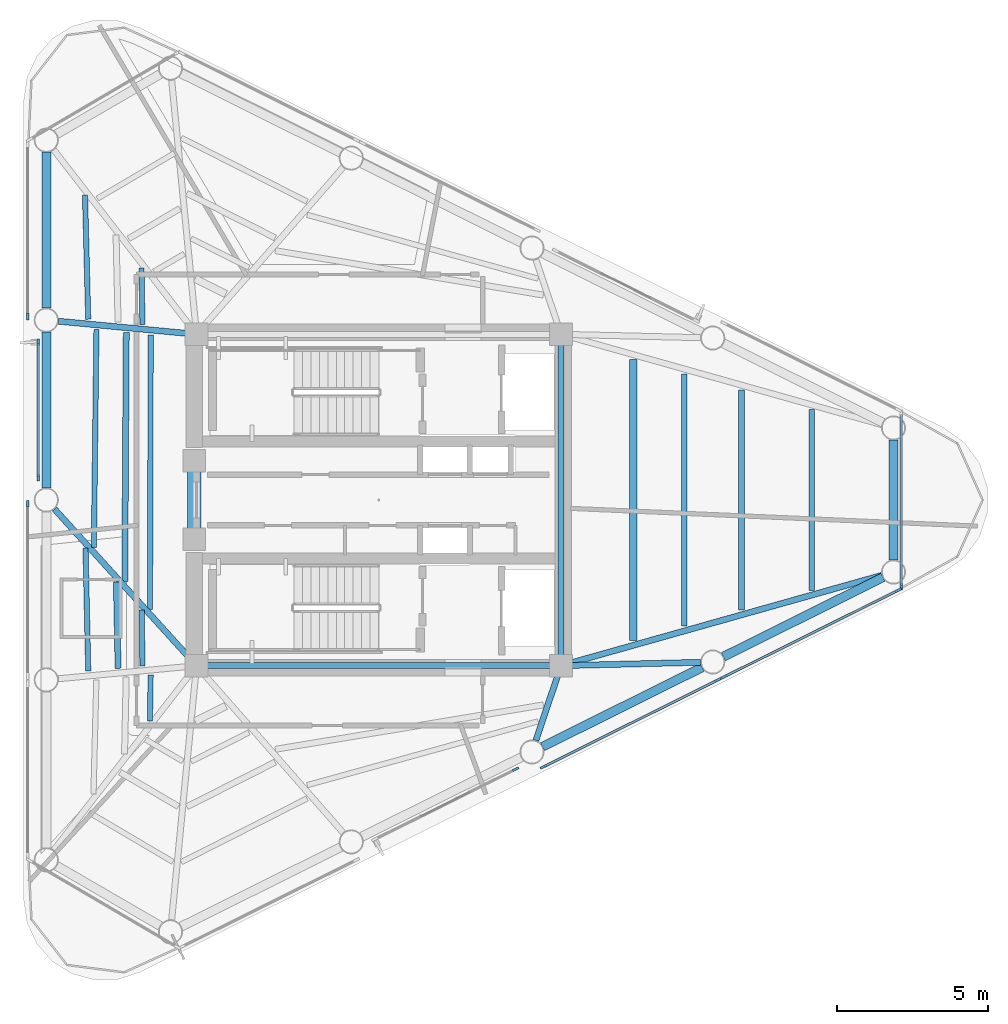
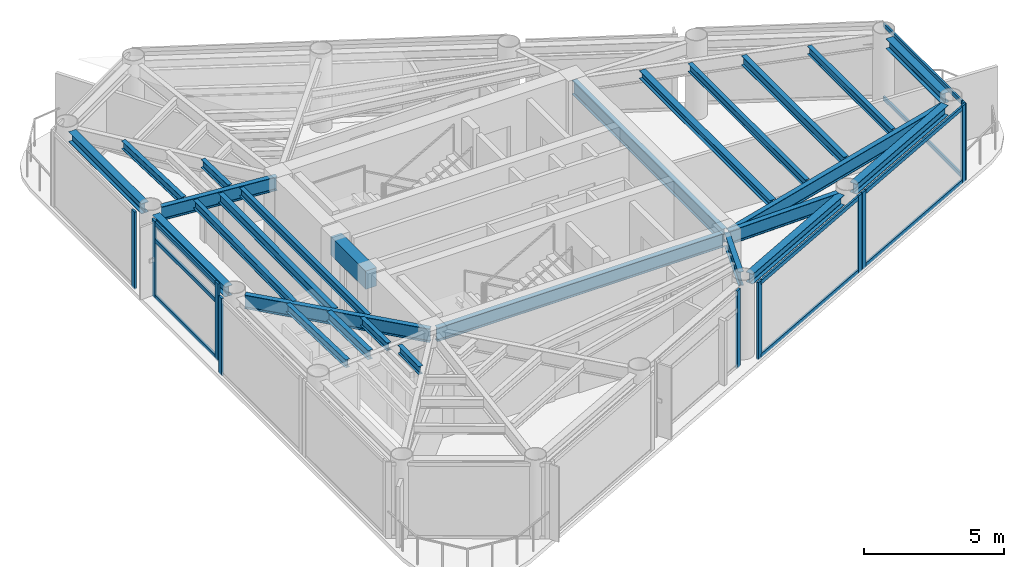
# One storey, part 2 of 10: 26 beams, 19 members, 7 elements without a shape of their own.
"""IFC4 building model written with IfcOpenShell, lengths in metres."""

import ifcopenshell
import ifcopenshell.guid

model = None  # the IFC model being written
_history = None  # IfcOwnerHistory: only IFC2X3 demands one
_inside = {}  # id of a spatial element -> (the spatial element, [elements in it])
_under = {}  # id of a project, library or spatial element -> (it, [spatial elements below it])
_declared = {}  # id of a project -> (the project, [libraries it declares])
_typed = {}  # id of a type object -> (the type object, [elements of that type])
_made_of = {}  # id of a material, layer set ... -> (it, [elements and type objects made of it])


def new_model(schema):
    """Start an empty IFC model of exactly this schema.

    Asked for "IFC4X3", IfcOpenShell would pick the latest addendum, in which some entities
    have other attributes; the version numbers below select the first issue.
    IFC2X3 requires an IfcOwnerHistory on every rooted entity: one is made here for all.
    """
    global model, _history
    if schema == "IFC4X3":
        model = ifcopenshell.file(schema_version=(4, 3, 0, 0))
    else:
        model = ifcopenshell.file(schema=schema)
    _inside.clear()
    _under.clear()
    _declared.clear()
    _typed.clear()
    _made_of.clear()
    _history = None
    if model.schema == "IFC2X3":
        org = make("IfcOrganization", Name="unknown")
        user = make(
            "IfcPersonAndOrganization",
            ThePerson=make("IfcPerson", FamilyName="unknown"),
            TheOrganization=org,
        )
        app = make(
            "IfcApplication",
            ApplicationDeveloper=org,
            Version="unknown",
            ApplicationFullName="unknown",
            ApplicationIdentifier="unknown",
        )
        _history = make(
            "IfcOwnerHistory",
            OwningUser=user,
            OwningApplication=app,
            ChangeAction="ADDED",
            CreationDate=0,
        )
    return model


def make(cls, **values):
    """One entity of the class cls with the attributes given. An attribute that is None is left unset."""
    return model.create_entity(
        cls, **{name: value for name, value in values.items() if value is not None}
    )


def rooted(cls, **values):
    """An entity with a GlobalId (a new one), such as an element, a storey or a relation."""
    return make(cls, GlobalId=ifcopenshell.guid.new(), OwnerHistory=_history, **values)


def si_unit(unit_type, name, prefix=None):
    """IfcSIUnit, for example si_unit("LENGTHUNIT", "METRE", prefix="MILLI")."""
    return make("IfcSIUnit", UnitType=unit_type, Prefix=prefix, Name=name)


def assignment(units):
    """IfcUnitAssignment: the units of a project."""
    return None if units is None else make("IfcUnitAssignment", Units=units)


def point(xyz):
    """IfcCartesianPoint."""
    return None if xyz is None else make("IfcCartesianPoint", Coordinates=xyz)


def direction(xyz):
    """IfcDirection."""
    return None if xyz is None else make("IfcDirection", DirectionRatios=xyz)


def frame(location, z_axis=None, x_axis=None):
    """IfcAxis2Placement3D, a coordinate frame: its origin and axes. An axis left out is left unset."""
    return make(
        "IfcAxis2Placement3D",
        Location=point(location),
        Axis=direction(z_axis),
        RefDirection=direction(x_axis),
    )


def frame_2d(location, x_axis=None):
    """IfcAxis2Placement2D, a coordinate frame in the plane: its origin and x axis."""
    return make(
        "IfcAxis2Placement2D", Location=point(location), RefDirection=direction(x_axis)
    )


def origin():
    """The frame at (0, 0, 0) with its axes left unset."""
    return frame((0.0, 0.0, 0.0))


def origin_2d():
    """The frame at (0, 0) in the plane with its x axis left unset."""
    return frame_2d((0.0, 0.0))


def place(relative_to, where):
    """IfcLocalPlacement: puts the frame where relative to a parent placement (None: the world)."""
    return make(
        "IfcLocalPlacement", PlacementRelTo=relative_to, RelativePlacement=where
    )


def context(
    kind, dimensions, precision=None, world=None, true_north=None, identifier=None
):
    """IfcGeometricRepresentationContext, for example the 3D "Model" context."""
    return make(
        "IfcGeometricRepresentationContext",
        ContextIdentifier=identifier,
        ContextType=kind,
        CoordinateSpaceDimension=dimensions,
        Precision=precision,
        WorldCoordinateSystem=world,
        TrueNorth=true_north,
    )


def subcontext(parent, identifier, kind, view, scale=None):
    """IfcGeometricRepresentationSubContext, for example "Body" below "Model"."""
    return make(
        "IfcGeometricRepresentationSubContext",
        ContextIdentifier=identifier,
        ContextType=kind,
        ParentContext=parent,
        TargetScale=scale,
        TargetView=view,
    )


def project(units=None, contexts=None):
    """IfcProject with its units and contexts."""
    return rooted(
        "IfcProject",
        Name="project",
        RepresentationContexts=contexts,
        UnitsInContext=assignment(units),
    )


def spatial(cls, under=None, at=None, **own):
    """A site, building, storey or space (cls), placed at a placement, below another one or the project."""
    s = rooted(cls, ObjectPlacement=at, **own)
    if under is not None:
        _under.setdefault(under.id(), (under, []))[1].append(s)
    return s


def profile(cls, at=None, kind="AREA", **sizes):
    """A parametric profile (cls). Its sizes go by their IFC names, for example OverallWidth=200.0."""
    return make(cls, ProfileType=kind, Position=at, **sizes)


def rectangle(**sizes):
    """IfcRectangleProfileDef."""
    return profile("IfcRectangleProfileDef", **sizes)


def i_section(**sizes):
    """IfcIShapeProfileDef."""
    return profile("IfcIShapeProfileDef", **sizes)


def extrude(swept, where, along, depth):
    """IfcExtrudedAreaSolid: the profile swept, set in the frame where, extruded along a direction by depth."""
    return make(
        "IfcExtrudedAreaSolid",
        SweptArea=swept,
        Position=where,
        ExtrudedDirection=direction(along),
        Depth=depth,
    )


def shape(context_of_items, identifier, shape_type, items):
    """IfcShapeRepresentation: the items that make up one representation, for example the "Body"."""
    return make(
        "IfcShapeRepresentation",
        ContextOfItems=context_of_items,
        RepresentationIdentifier=identifier,
        RepresentationType=shape_type,
        Items=items,
    )


def source(mapping_origin, context_of_items, identifier, shape_type, items):
    """IfcRepresentationMap: a shape defined once, which mapped items show again and again."""
    return make(
        "IfcRepresentationMap",
        MappingOrigin=mapping_origin,
        MappedRepresentation=shape(context_of_items, identifier, shape_type, items),
    )


def transform(
    local_origin,
    x_axis=None,
    y_axis=None,
    z_axis=None,
    scale=None,
    scale2=None,
    scale3=None,
    uniform=True,
):
    """IfcCartesianTransformationOperator3D, or its non-uniform kind. x_axis, y_axis, z_axis: its Axis1, 2, 3."""
    if uniform:
        return make(
            "IfcCartesianTransformationOperator3D",
            Axis1=direction(x_axis),
            Axis2=direction(y_axis),
            LocalOrigin=point(local_origin),
            Scale=scale,
            Axis3=direction(z_axis),
        )
    return make(
        "IfcCartesianTransformationOperator3DnonUniform",
        Axis1=direction(x_axis),
        Axis2=direction(y_axis),
        LocalOrigin=point(local_origin),
        Scale=scale,
        Axis3=direction(z_axis),
        Scale2=scale2,
        Scale3=scale3,
    )


def mapped(mapping_source, mapping_target):
    """IfcMappedItem: shows the shape of a source again, moved by a transform."""
    return make(
        "IfcMappedItem", MappingSource=mapping_source, MappingTarget=mapping_target
    )


def material(Name=None, Category=None):
    """IfcMaterial."""
    return make("IfcMaterial", Name=Name, Category=Category)


def layer(
    of_material, thickness, ventilated=None, Name=None, Category=None, Priority=None
):
    """IfcMaterialLayer: one layer of a wall or slab, of a material (None: an air gap)."""
    return make(
        "IfcMaterialLayer",
        Material=of_material,
        LayerThickness=thickness,
        IsVentilated=ventilated,
        Name=Name,
        Category=Category,
        Priority=Priority,
    )


def layer_set(layers, Name=None):
    """IfcMaterialLayerSet."""
    return make("IfcMaterialLayerSet", MaterialLayers=layers, LayerSetName=Name)


def material_profile(
    of_material, cross_section, Name=None, Category=None, Priority=None
):
    """IfcMaterialProfile: a cross section and its material."""
    return make(
        "IfcMaterialProfile",
        Name=Name,
        Material=of_material,
        Profile=cross_section,
        Priority=Priority,
        Category=Category,
    )


def profile_set(profiles, Name=None, composite=None):
    """IfcMaterialProfileSet."""
    return make(
        "IfcMaterialProfileSet",
        Name=Name,
        MaterialProfiles=profiles,
        CompositeProfile=composite,
    )


def made_of(thing, what):
    """Note that an element or type object is made of a material, layer set ...; save() writes the relation."""
    if what is not None:
        _made_of.setdefault(what.id(), (what, []))[1].append(thing)
    return thing


def type_object(cls, material=None, **own):
    """A type object (cls), such as IfcWallType, which elements share."""
    return made_of(rooted(cls, **own), material)


def element(
    cls,
    number,
    at=None,
    inside=None,
    cuts=None,
    type_object=None,
    material=None,
    context=None,
    identifier="Body",
    shape_type=None,
    held_by="IfcProductDefinitionShape",
    body=None,
    shapes=None,
    **own,
):
    """One element of the class cls, such as IfcWall. Its Tag is "e" and its number.

    at: its placement. inside: the storey or other place that contains it. cuts: it is an
    opening in that element (IfcRelVoidsElement). A single representation is given by context,
    identifier, shape_type and body (its items); several are given by shapes. held_by: the class
    of the entity that holds the representations. save() writes the other relations.
    """
    e = rooted(cls, Tag="e%d" % number, ObjectPlacement=at, **own)
    if body is not None:
        shapes = [shape(context, identifier, shape_type, body)]
    if shapes is not None:
        e.Representation = make(held_by, Representations=shapes)
    if inside is not None:
        _inside.setdefault(inside.id(), (inside, []))[1].append(e)
    if cuts is not None:
        rooted(
            "IfcRelVoidsElement", RelatingBuildingElement=cuts, RelatedOpeningElement=e
        )
    if type_object is not None:
        _typed.setdefault(type_object.id(), (type_object, []))[1].append(e)
    return made_of(e, material)


def aggregate(whole, parts):
    """IfcRelAggregates: a whole, such as a stair, and the parts it consists of."""
    return rooted("IfcRelAggregates", RelatingObject=whole, RelatedObjects=parts)


def save(model, path):
    """Write the relations noted so far, then the file.

    IfcRelAggregates (storeys below a building ...), IfcRelContainedInSpatialStructure (elements
    in a storey), IfcRelDefinesByType, IfcRelAssociatesMaterial and IfcRelDeclares: one each for
    every whole, place, type object, material and project.
    """
    for whole, parts in _under.values():
        aggregate(whole, parts)
    for where, things in _inside.values():
        rooted(
            "IfcRelContainedInSpatialStructure",
            RelatedElements=things,
            RelatingStructure=where,
        )
    for kind, things in _typed.values():
        rooted("IfcRelDefinesByType", RelatedObjects=things, RelatingType=kind)
    for what, things in _made_of.values():
        rooted("IfcRelAssociatesMaterial", RelatedObjects=things, RelatingMaterial=what)
    for by, libraries in _declared.values():
        rooted("IfcRelDeclares", RelatingContext=by, RelatedDefinitions=libraries)
    model.write(path)


model = new_model("IFC4")

# Units and contexts
model_context = context("Model", 3, precision=1e-05, world=origin(), true_north=direction((0.0, 1.0)))
body_context = subcontext(model_context, "Body", "Model", "MODEL_VIEW")
ifc_project = project(units=[si_unit("LENGTHUNIT", "METRE"), si_unit("AREAUNIT", "SQUARE_METRE"), si_unit("VOLUMEUNIT", "CUBIC_METRE"), si_unit("PLANEANGLEUNIT", "RADIAN"), si_unit("MASSUNIT", "GRAM", prefix="KILO")], contexts=[model_context])

# Site, building, storey
site_placement = place(None, origin())
site = spatial("IfcSite", under=ifc_project, at=site_placement, CompositionType="ELEMENT")
building_placement = place(site_placement, origin())
building = spatial("IfcBuilding", under=site, at=building_placement, Name="Yunling Apex Tower", CompositionType="ELEMENT")
storey_placement = place(building_placement, frame((0.0, 0.0, 310.550048828125)))
storey = spatial("IfcBuildingStorey", under=building, at=storey_placement, Name="L76", CompositionType="ELEMENT", Elevation=310.550048828125)

# Beams
ifc_material_1 = material(Name="Concrete C40", Category="concrete")
ifc_material_profile_1 = material_profile(ifc_material_1, rectangle(XDim=0.449951171875, YDim=0.800048828125, at=origin_2d()))
ifc_profile_set_1 = profile_set([ifc_material_profile_1], Name="Concrete C40")
beam_type_1 = type_object("IfcBeamType", Name="BC-CPL-3", PredefinedType="BEAM", material=ifc_profile_set_1)
shared_shape_1 = source(origin(), body_context, "Body", "SweptSolid", [
    extrude(rectangle(XDim=0.449951171875, YDim=0.800048828125, at=origin_2d()), origin(), (0.0, 0.0, 1.0), 2.5),
])
beam_1_placement = place(storey_placement, frame((-6.125, -1.25, 2.869873046875), z_axis=(0.0, 1.0, 0.0), x_axis=(-1.0, 0.0, 0.0)))
element("IfcBeam", 1, at=beam_1_placement, inside=storey, type_object=beam_type_1, Name="L76 Core West Portal Coupling Beam", PredefinedType="BEAM", context=body_context, shape_type="MappedRepresentation", body=[
    mapped(shared_shape_1, transform((0.0, 0.0, 0.0), scale=1.0)),
])
ifc_material_2 = material(Name="Steel Q355B", Category="steel")
ifc_material_profile_2 = material_profile(ifc_material_2, i_section(OverallWidth=0.199951171875, OverallDepth=0.60009765625, WebThickness=0.010986328125, FlangeThickness=0.01708984375, FilletRadius=0.02197265625, at=origin_2d()))
ifc_profile_set_2 = profile_set([ifc_material_profile_2], Name="Steel Q355B")
beam_type_2 = type_object("IfcBeamType", Name="BG-PRI-5", PredefinedType="USERDEFINED", material=ifc_profile_set_2)
shared_shape_2 = source(origin(), body_context, "Body", "SweptSolid", [
    extrude(i_section(OverallWidth=0.199951171875, OverallDepth=0.60009765625, WebThickness=0.010986328125, FlangeThickness=0.01708984375, FilletRadius=0.02197265625, at=origin_2d()), origin(), (0.0, 0.0, 1.0), 11.7998046875),
])
beam_2_placement = place(storey_placement, frame((-5.89990234375, -5.5, 2.969970703125), z_axis=(1.0, 0.0, 0.0), x_axis=(0.0, 1.0, 0.0)))
element("IfcBeam", 2, at=beam_2_placement, inside=storey, type_object=beam_type_2, Name="L76 Core Ring Tie Beam 1", ObjectType="GIRDER", PredefinedType="USERDEFINED", context=body_context, shape_type="MappedRepresentation", body=[
    mapped(shared_shape_2, transform((0.0, 0.0, 0.0), scale=1.0)),
])
shared_shape_3 = source(origin(), body_context, "Body", "SweptSolid", [
    extrude(i_section(OverallWidth=0.199951171875, OverallDepth=0.60009765625, WebThickness=0.010986328125, FlangeThickness=0.01708984375, FilletRadius=0.02197265625, at=origin_2d()), origin(), (0.0, 0.0, 1.0), 10.7001953125),
])
beam_3_placement = place(storey_placement, frame((6.050048828125, -5.35009765625, 2.969970703125), z_axis=(0.0, 1.0, 0.0), x_axis=(-1.0, 0.0, 0.0)))
element("IfcBeam", 3, at=beam_3_placement, inside=storey, type_object=beam_type_2, Name="L76 Core Ring Tie Beam 2", ObjectType="GIRDER", PredefinedType="USERDEFINED", context=body_context, shape_type="MappedRepresentation", body=[
    mapped(shared_shape_3, transform((0.0, 0.0, 0.0), scale=1.0)),
])
ifc_material_profile_3 = material_profile(ifc_material_2, i_section(OverallWidth=0.300048828125, OverallDepth=0.43994140625, WebThickness=0.010986328125, FlangeThickness=0.01806640625, FilletRadius=0.02197265625, at=origin_2d()))
ifc_profile_set_3 = profile_set([ifc_material_profile_3], Name="Steel Q355B")
beam_type_3 = type_object("IfcBeamType", Name="BP-SPN-3", PredefinedType="SPANDREL", material=ifc_profile_set_3)
shared_shape_4 = source(origin(), body_context, "Body", "SweptSolid", [
    extrude(i_section(OverallWidth=0.300048828125, OverallDepth=0.43994140625, WebThickness=0.010986328125, FlangeThickness=0.01806640625, FilletRadius=0.02197265625, at=origin_2d()), origin(), (0.0, 0.0, 1.0), 5.9140625),
])
for number, where, z_axis, x_axis, name in (
    (4, (5.43896484375, -8.1884765625, 3.050048828125), (0.895259510924, 0.445545068539, 0.0), (-0.445545068539, 0.895259510924, 0.0), "L76 Perimeter Spandrel Beam 3"),
    (5, (11.439208984375, -5.2021484375, 3.050048828125), (0.895259510924, 0.445545068539, 0.0), (-0.445545068539, 0.895259510924, 0.0), "L76 Perimeter Spandrel Beam 4"),
):
    element("IfcBeam", number, at=place(storey_placement, frame(where, z_axis=z_axis, x_axis=x_axis)), inside=storey, type_object=beam_type_3, Name=name, PredefinedType="SPANDREL", context=body_context, shape_type="MappedRepresentation", body=[
        mapped(shared_shape_4, transform((0.0, 0.0, 0.0), scale=1.0)),
    ])
shared_shape_5 = source(origin(), body_context, "Body", "SweptSolid", [
    extrude(i_section(OverallWidth=0.300048828125, OverallDepth=0.43994140625, WebThickness=0.010986328125, FlangeThickness=0.01806640625, FilletRadius=0.02197265625, at=origin_2d()), origin(), (0.0, 0.0, 1.0), 3.9951171875),
])
beam_4_placement = place(storey_placement, frame((17.086669921875, -1.99755859375, 3.050048828125), z_axis=(0.0, 1.0, 0.0), x_axis=(-1.0, 0.0, 0.0)))
element("IfcBeam", 6, at=beam_4_placement, inside=storey, type_object=beam_type_3, Name="L76 Perimeter Spandrel Beam 5", PredefinedType="SPANDREL", context=body_context, shape_type="MappedRepresentation", body=[
    mapped(shared_shape_5, transform((0.0, 0.0, 0.0), scale=1.0)),
])
shared_shape_6 = source(origin(), body_context, "Body", "SweptSolid", [
    extrude(i_section(OverallWidth=0.300048828125, OverallDepth=0.43994140625, WebThickness=0.010986328125, FlangeThickness=0.01806640625, FilletRadius=0.02197265625, at=origin_2d()), origin(), (0.0, 0.0, 1.0), 5.1845703125),
])
for number, where, z_axis, x_axis, name in (
    (7, (-11.037353515625, 11.55126953125, 3.050048828125), (0.0, -1.0, 0.0), (1.0, 0.0, 0.0), "L76 Perimeter Spandrel Beam 11"),
    (8, (-11.037353515625, 5.57861328125, 3.050048828125), (0.0, -1.0, 0.0), (1.0, 0.0, 0.0), "L76 Perimeter Spandrel Beam 12"),
):
    element("IfcBeam", number, at=place(storey_placement, frame(where, z_axis=z_axis, x_axis=x_axis)), inside=storey, type_object=beam_type_3, Name=name, PredefinedType="SPANDREL", context=body_context, shape_type="MappedRepresentation", body=[
        mapped(shared_shape_6, transform((0.0, 0.0, 0.0), scale=1.0)),
    ])
shared_shape_7 = source(origin(), body_context, "Body", "SweptSolid", [
    extrude(i_section(OverallWidth=0.199951171875, OverallDepth=0.60009765625, WebThickness=0.010986328125, FlangeThickness=0.01708984375, FilletRadius=0.02197265625, at=origin_2d()), origin(), (0.0, 0.0, 1.0), 2.533935546875),
])
beam_5_placement = place(storey_placement, frame((5.21630859375, -7.977294921875, 2.969970703125), z_axis=(0.318914628896, 0.947783445454, 0.0), x_axis=(-0.947783445454, 0.318914628896, 0.0)))
element("IfcBeam", 9, at=beam_5_placement, inside=storey, type_object=beam_type_2, Name="L76 Radial Primary Girder R03", ObjectType="GIRDER", PredefinedType="USERDEFINED", context=body_context, shape_type="MappedRepresentation", body=[
    mapped(shared_shape_7, transform((0.0, 0.0, 0.0), scale=1.0)),
])
shared_shape_8 = source(origin(), body_context, "Body", "SweptSolid", [
    extrude(i_section(OverallWidth=0.199951171875, OverallDepth=0.60009765625, WebThickness=0.010986328125, FlangeThickness=0.01708984375, FilletRadius=0.02197265625, at=origin_2d()), origin(), (0.0, 0.0, 1.0), 4.5498046875),
])
beam_6_placement = place(storey_placement, frame((10.678466796875, -5.3876953125, 2.969970703125), z_axis=(-0.999705840498, -0.024253504369, 0.0), x_axis=(0.024253504369, -0.999705840498, 0.0)))
element("IfcBeam", 10, at=beam_6_placement, inside=storey, type_object=beam_type_2, Name="L76 Radial Primary Girder R04", ObjectType="GIRDER", PredefinedType="USERDEFINED", context=body_context, shape_type="MappedRepresentation", body=[
    mapped(shared_shape_8, transform((0.0, 0.0, 0.0), scale=1.0)),
])
shared_shape_9 = source(origin(), body_context, "Body", "SweptSolid", [
    extrude(i_section(OverallWidth=0.199951171875, OverallDepth=0.60009765625, WebThickness=0.010986328125, FlangeThickness=0.01708984375, FilletRadius=0.02197265625, at=origin_2d()), origin(), (0.0, 0.0, 1.0), 10.97802734375),
])
beam_7_placement = place(storey_placement, frame((16.69384765625, -2.502197265625, 2.969970703125), z_axis=(-0.962552702816, -0.271094622414, 0.0), x_axis=(0.271094622414, -0.962552702816, 0.0)))
element("IfcBeam", 11, at=beam_7_placement, inside=storey, type_object=beam_type_2, Name="L76 Radial Primary Girder R05", ObjectType="GIRDER", PredefinedType="USERDEFINED", context=body_context, shape_type="MappedRepresentation", body=[
    mapped(shared_shape_9, transform((0.0, 0.0, 0.0), scale=1.0)),
])
shared_shape_10 = source(origin(), body_context, "Body", "SweptSolid", [
    extrude(i_section(OverallWidth=0.199951171875, OverallDepth=0.60009765625, WebThickness=0.010986328125, FlangeThickness=0.01708984375, FilletRadius=0.02197265625, at=origin_2d()), origin(), (0.0, 0.0, 1.0), 4.521728515625),
])
beam_8_placement = place(storey_placement, frame((-10.631103515625, 5.93408203125, 2.969970703125), z_axis=(0.99554122067, -0.094327503661, 0.0), x_axis=(0.094327503661, 0.99554122067, 0.0)))
element("IfcBeam", 12, at=beam_8_placement, inside=storey, type_object=beam_type_2, Name="L76 Radial Primary Girder R12", ObjectType="GIRDER", PredefinedType="USERDEFINED", context=body_context, shape_type="MappedRepresentation", body=[
    mapped(shared_shape_10, transform((0.0, 0.0, 0.0), scale=1.0)),
])
shared_shape_11 = source(origin(), body_context, "Body", "SweptSolid", [
    extrude(i_section(OverallWidth=0.199951171875, OverallDepth=0.60009765625, WebThickness=0.010986328125, FlangeThickness=0.01708984375, FilletRadius=0.02197265625, at=origin_2d()), origin(), (0.0, 0.0, 1.0), 6.9365234375),
])
beam_9_placement = place(storey_placement, frame((-10.76318359375, -0.30224609375, 2.969970703125), z_axis=(0.671734994532, -0.740791534185, 0.0), x_axis=(0.740791534185, 0.671734994532, 0.0)))
element("IfcBeam", 13, at=beam_9_placement, inside=storey, type_object=beam_type_2, Name="L76 Radial Primary Girder R13", ObjectType="GIRDER", PredefinedType="USERDEFINED", context=body_context, shape_type="MappedRepresentation", body=[
    mapped(shared_shape_11, transform((0.0, 0.0, 0.0), scale=1.0)),
])
ifc_material_profile_4 = material_profile(ifc_material_2, i_section(OverallWidth=0.199951171875, OverallDepth=0.39990234375, WebThickness=0.008056640625, FlangeThickness=0.012939453125, FilletRadius=0.01611328125, at=origin_2d()))
ifc_profile_set_4 = profile_set([ifc_material_profile_4], Name="Steel Q355B")
beam_type_4 = type_object("IfcBeamType", Name="BS-SEC-4", PredefinedType="BEAM", material=ifc_profile_set_4)
shared_shape_12 = source(origin(), body_context, "Body", "SweptSolid", [
    extrude(i_section(OverallWidth=0.199951171875, OverallDepth=0.39990234375, WebThickness=0.008056640625, FlangeThickness=0.012939453125, FilletRadius=0.01611328125, at=origin_2d()), origin(), (0.0, 0.0, 1.0), 7.30322265625),
])
beam_10_placement = place(storey_placement, frame((12.04443359375, -3.651611328125, 3.070068359375), z_axis=(0.0, 1.0, 0.0), x_axis=(-1.0, 0.0, 0.0)))
element("IfcBeam", 14, at=beam_10_placement, inside=storey, type_object=beam_type_4, Name="L76 Composite Floor Beam BS-5", PredefinedType="BEAM", context=body_context, shape_type="MappedRepresentation", body=[
    mapped(shared_shape_12, transform((0.0, 0.0, 0.0), scale=1.0)),
])
ifc_material_profile_5 = material_profile(ifc_material_2, i_section(OverallWidth=0.175048828125, OverallDepth=0.35009765625, WebThickness=0.007080078125, FlangeThickness=0.010986328125, FilletRadius=0.013916015625, at=origin_2d()))
ifc_profile_set_5 = profile_set([ifc_material_profile_5], Name="Steel Q355B")
beam_type_5 = type_object("IfcBeamType", Name="BJ-JST-1", PredefinedType="JOIST", material=ifc_profile_set_5)
shared_shape_13 = source(origin(), body_context, "Body", "SweptSolid", [
    extrude(i_section(OverallWidth=0.175048828125, OverallDepth=0.35009765625, WebThickness=0.007080078125, FlangeThickness=0.010986328125, FilletRadius=0.013916015625, at=origin_2d()), origin(), (0.0, 0.0, 1.0), 5.99365234375),
])
beam_11_placement = place(storey_placement, frame((14.369140625, -2.996826171875, 3.094970703125), z_axis=(0.0, 1.0, 0.0), x_axis=(-1.0, 0.0, 0.0)))
element("IfcBeam", 15, at=beam_11_placement, inside=storey, type_object=beam_type_5, Name="L76 Composite Floor Joist BJ1-5", PredefinedType="JOIST", context=body_context, shape_type="MappedRepresentation", body=[
    mapped(shared_shape_13, transform((0.0, 0.0, 0.0), scale=1.0)),
])
shared_shape_14 = source(origin(), body_context, "Body", "SweptSolid", [
    extrude(i_section(OverallWidth=0.175048828125, OverallDepth=0.35009765625, WebThickness=0.007080078125, FlangeThickness=0.010986328125, FilletRadius=0.013916015625, at=origin_2d()), origin(), (0.0, 0.0, 1.0), 8.37451171875),
])
beam_12_placement = place(storey_placement, frame((10.142333984375, -4.187255859375, 3.094970703125), z_axis=(0.0, 1.0, 0.0), x_axis=(-1.0, 0.0, 0.0)))
element("IfcBeam", 16, at=beam_12_placement, inside=storey, type_object=beam_type_5, Name="L76 Composite Floor Joist BJ3-5", PredefinedType="JOIST", context=body_context, shape_type="MappedRepresentation", body=[
    mapped(shared_shape_14, transform((0.0, 0.0, 0.0), scale=1.0)),
])
ifc_material_profile_6 = material_profile(ifc_material_2, i_section(OverallWidth=0.25, OverallDepth=0.340087890625, WebThickness=0.009033203125, FlangeThickness=0.013916015625, FilletRadius=0.01806640625, at=origin_2d()))
ifc_profile_set_6 = profile_set([ifc_material_profile_6], Name="Steel Q355B")
beam_type_6 = type_object("IfcBeamType", Name="BJ-JST-2", PredefinedType="JOIST", material=ifc_profile_set_6)
shared_shape_15 = source(origin(), body_context, "Body", "SweptSolid", [
    extrude(i_section(OverallWidth=0.25, OverallDepth=0.340087890625, WebThickness=0.009033203125, FlangeThickness=0.013916015625, FilletRadius=0.01806640625, at=origin_2d()), origin(), (0.0, 0.0, 1.0), 9.3271484375),
])
beam_13_placement = place(storey_placement, frame((8.45166015625, -4.66357421875, 3.099853515625), z_axis=(0.0, 1.0, 0.0), x_axis=(-1.0, 0.0, 0.0)))
element("IfcBeam", 17, at=beam_13_placement, inside=storey, type_object=beam_type_6, Name="L76 Composite Floor Joist BJ2-5", PredefinedType="JOIST", context=body_context, shape_type="MappedRepresentation", body=[
    mapped(shared_shape_15, transform((0.0, 0.0, 0.0), scale=1.0)),
])
shared_shape_16 = source(origin(), body_context, "Body", "SweptSolid", [
    extrude(i_section(OverallWidth=0.175048828125, OverallDepth=0.35009765625, WebThickness=0.007080078125, FlangeThickness=0.010986328125, FilletRadius=0.013916015625, at=origin_2d()), origin(), (0.0, 0.0, 1.0), 4.130859375),
])
beam_14_placement = place(storey_placement, frame((-9.751953125, 10.129638671875, 3.094970703125), z_axis=(0.025887029391, -0.9996648747, 0.0), x_axis=(0.9996648747, 0.025887029391, 0.0)))
element("IfcBeam", 18, at=beam_14_placement, inside=storey, type_object=beam_type_5, Name="L76 Composite Floor Joist BJ1-11", PredefinedType="JOIST", context=body_context, shape_type="MappedRepresentation", body=[
    mapped(shared_shape_16, transform((0.0, 0.0, 0.0), scale=1.0)),
])
shared_shape_17 = source(origin(), body_context, "Body", "SweptSolid", [
    extrude(i_section(OverallWidth=0.175048828125, OverallDepth=0.35009765625, WebThickness=0.007080078125, FlangeThickness=0.010986328125, FilletRadius=0.013916015625, at=origin_2d()), origin(), (0.0, 0.0, 1.0), 1.87646484375),
])
beam_15_placement = place(storey_placement, frame((-7.877685546875, 7.705810546875, 3.094970703125), z_axis=(0.01847440018, -0.999829333705, 0.0), x_axis=(0.999829333705, 0.01847440018, 0.0)))
element("IfcBeam", 19, at=beam_15_placement, inside=storey, type_object=beam_type_5, Name="L76 Composite Floor Joist BJ3-11", PredefinedType="JOIST", context=body_context, shape_type="MappedRepresentation", body=[
    mapped(shared_shape_17, transform((0.0, 0.0, 0.0), scale=1.0)),
])
shared_shape_18 = source(origin(), body_context, "Body", "SweptSolid", [
    extrude(i_section(OverallWidth=0.199951171875, OverallDepth=0.39990234375, WebThickness=0.008056640625, FlangeThickness=0.012939453125, FilletRadius=0.01611328125, at=origin_2d()), origin(), (0.0, 0.0, 1.0), 8.2724609375),
])
beam_16_placement = place(storey_placement, frame((-8.38134765625, 5.560791015625, 3.070068359375), z_axis=(-0.006197679272, -0.999980794201, 0.0), x_axis=(0.999980794201, -0.006197679272, 0.0)))
element("IfcBeam", 20, at=beam_16_placement, inside=storey, type_object=beam_type_4, Name="L76 Composite Floor Beam BS-12", PredefinedType="BEAM", context=body_context, shape_type="MappedRepresentation", body=[
    mapped(shared_shape_18, transform((0.0, 0.0, 0.0), scale=1.0)),
])
shared_shape_19 = source(origin(), body_context, "Body", "SweptSolid", [
    extrude(i_section(OverallWidth=0.175048828125, OverallDepth=0.35009765625, WebThickness=0.007080078125, FlangeThickness=0.010986328125, FilletRadius=0.013916015625, at=origin_2d()), origin(), (0.0, 0.0, 1.0), 7.236328125),
])
beam_17_placement = place(storey_placement, frame((-9.37255859375, 5.65478515625, 3.094970703125), z_axis=(-0.011639673006, -0.999932256712, 0.0), x_axis=(0.999932256712, -0.011639673006, 0.0)))
element("IfcBeam", 21, at=beam_17_placement, inside=storey, type_object=beam_type_5, Name="L76 Composite Floor Joist BJ1-12", PredefinedType="JOIST", context=body_context, shape_type="MappedRepresentation", body=[
    mapped(shared_shape_19, transform((0.0, 0.0, 0.0), scale=1.0)),
])
shared_shape_20 = source(origin(), body_context, "Body", "SweptSolid", [
    extrude(i_section(OverallWidth=0.175048828125, OverallDepth=0.35009765625, WebThickness=0.007080078125, FlangeThickness=0.010986328125, FilletRadius=0.013916015625, at=origin_2d()), origin(), (0.0, 0.0, 1.0), 9.120361328125),
])
beam_18_placement = place(storey_placement, frame((-7.570556640625, 5.48388671875, 3.094970703125), z_axis=(-0.002596559494, -0.999996628934, 0.0), x_axis=(0.999996628934, -0.002596559494, 0.0)))
element("IfcBeam", 22, at=beam_18_placement, inside=storey, type_object=beam_type_5, Name="L76 Composite Floor Joist BJ3-12", PredefinedType="JOIST", context=body_context, shape_type="MappedRepresentation", body=[
    mapped(shared_shape_20, transform((0.0, 0.0, 0.0), scale=1.0)),
])
shared_shape_21 = source(origin(), body_context, "Body", "SweptSolid", [
    extrude(i_section(OverallWidth=0.199951171875, OverallDepth=0.39990234375, WebThickness=0.008056640625, FlangeThickness=0.012939453125, FilletRadius=0.01611328125, at=origin_2d()), origin(), (0.0, 0.0, 1.0), 2.86376953125),
])
beam_19_placement = place(storey_placement, frame((-8.7099609375, -2.72314453125, 3.070068359375), z_axis=(0.019692633422, -0.999806081292, 0.0), x_axis=(0.999806081292, 0.019692633422, 0.0)))
element("IfcBeam", 23, at=beam_19_placement, inside=storey, type_object=beam_type_4, Name="L76 Composite Floor Beam BS-13", PredefinedType="BEAM", context=body_context, shape_type="MappedRepresentation", body=[
    mapped(shared_shape_21, transform((0.0, 0.0, 0.0), scale=1.0)),
])
shared_shape_22 = source(origin(), body_context, "Body", "SweptSolid", [
    extrude(i_section(OverallWidth=0.175048828125, OverallDepth=0.35009765625, WebThickness=0.007080078125, FlangeThickness=0.010986328125, FilletRadius=0.013916015625, at=origin_2d()), origin(), (0.0, 0.0, 1.0), 4.0888671875),
])
beam_20_placement = place(storey_placement, frame((-9.734619140625, -1.592529296875, 3.094970703125), z_axis=(0.022092074649, -0.999755940336, 0.0), x_axis=(0.999755940336, 0.022092074649, 0.0)))
element("IfcBeam", 24, at=beam_20_placement, inside=storey, type_object=beam_type_5, Name="L76 Composite Floor Joist BJ1-13", PredefinedType="JOIST", context=body_context, shape_type="MappedRepresentation", body=[
    mapped(shared_shape_22, transform((0.0, 0.0, 0.0), scale=1.0)),
])
shared_shape_23 = source(origin(), body_context, "Body", "SweptSolid", [
    extrude(i_section(OverallWidth=0.175048828125, OverallDepth=0.35009765625, WebThickness=0.007080078125, FlangeThickness=0.010986328125, FilletRadius=0.013916015625, at=origin_2d()), origin(), (0.0, 0.0, 1.0), 1.861572265625),
])
beam_21_placement = place(storey_placement, frame((-7.871826171875, -3.648193359375, 3.094970703125), z_axis=(0.015606703404, -0.999878207988, 0.0), x_axis=(0.999878207988, 0.015606703404, 0.0)))
element("IfcBeam", 25, at=beam_21_placement, inside=storey, type_object=beam_type_5, Name="L76 Composite Floor Joist BJ3-13", PredefinedType="JOIST", context=body_context, shape_type="MappedRepresentation", body=[
    mapped(shared_shape_23, transform((0.0, 0.0, 0.0), scale=1.0)),
])
shared_shape_24 = source(origin(), body_context, "Body", "SweptSolid", [
    extrude(i_section(OverallWidth=0.175048828125, OverallDepth=0.35009765625, WebThickness=0.007080078125, FlangeThickness=0.010986328125, FilletRadius=0.013916015625, at=origin_2d()), origin(), (0.0, 0.0, 1.0), 1.53857421875),
])
beam_22_placement = place(storey_placement, frame((-7.572509765625, -5.803955078125, 3.094970703125), z_axis=(-0.015709852828, -0.999876592647, 0.0), x_axis=(0.999876592647, -0.015709852828, 0.0)))
element("IfcBeam", 26, at=beam_22_placement, inside=storey, type_object=beam_type_5, Name="L76 Composite Floor Joist BJ3-14", PredefinedType="JOIST", context=body_context, shape_type="MappedRepresentation", body=[
    mapped(shared_shape_24, transform((0.0, 0.0, 0.0), scale=1.0)),
])

# Curtain wall, members
ifc_material_3 = material(Name="Bronze anodised aluminium", Category="aluminium")
ifc_layer = layer(ifc_material_3, 0.219970703125)
ifc_layer_set = layer_set([ifc_layer], Name="Bronze anodised aluminium")
curtain_wall_type = type_object("IfcCurtainWallType", Name="CW-SYS-4", PredefinedType="NOTDEFINED", material=ifc_layer_set)
curtain_wall_1_placement = place(storey_placement, origin())
curtain_wall_1 = element("IfcCurtainWall", 27, at=curtain_wall_1_placement, inside=storey, type_object=curtain_wall_type, Name="CW-L76-F1-B3", PredefinedType="NOTDEFINED")
ifc_material_profile_7 = material_profile(ifc_material_3, rectangle(XDim=0.080078125, YDim=0.169921875, at=origin_2d()))
ifc_profile_set_7 = profile_set([ifc_material_profile_7], Name="Bronze anodised aluminium")
member_type_1 = type_object("IfcMemberType", Name="CW-TRN-4", PredefinedType="USERDEFINED", material=ifc_profile_set_7)
shared_shape_25 = source(origin(), body_context, "Body", "SweptSolid", [
    extrude(rectangle(XDim=0.080078125, YDim=0.169921875, at=origin_2d()), origin(), (0.0, 0.0, 1.0), 6.39013671875),
])
member_1_placement = place(storey_placement, frame((5.497802734375, -8.8408203125, 0.0400390625), z_axis=(0.895235684646, 0.445592940851, 0.0), x_axis=(-0.445592940851, 0.895235684646, 0.0)))
member_1 = element("IfcMember", 28, at=member_1_placement, type_object=member_type_1, Name="CW-SYS-4 transom 1.1", ObjectType="TRANSOM", PredefinedType="USERDEFINED", context=body_context, shape_type="MappedRepresentation", body=[
    mapped(shared_shape_25, transform((0.0, 0.0, 0.0), scale=1.0)),
])
member_2_placement = place(storey_placement, frame((5.497802734375, -8.8408203125, 3.22998046875), z_axis=(0.895235684646, 0.445592940851, 0.0), x_axis=(-0.445592940851, 0.895235684646, 0.0)))
member_2 = element("IfcMember", 29, at=member_2_placement, type_object=member_type_1, Name="CW-SYS-4 transom 1.2", ObjectType="TRANSOM", PredefinedType="USERDEFINED", context=body_context, shape_type="MappedRepresentation", body=[
    mapped(shared_shape_25, transform((0.0, 0.0, 0.0), scale=1.0)),
])

curtain_wall_2_placement = place(storey_placement, origin())
curtain_wall_2 = element("IfcCurtainWall", 30, at=curtain_wall_2_placement, inside=storey, type_object=curtain_wall_type, Name="CW-L76-F1-B4", PredefinedType="NOTDEFINED")
shared_shape_26 = source(origin(), body_context, "Body", "SweptSolid", [
    extrude(rectangle(XDim=0.080078125, YDim=0.169921875, at=origin_2d()), origin(), (0.0, 0.0, 1.0), 6.390380859375),
])
member_3_placement = place(storey_placement, frame((11.497802734375, -5.854248046875, 0.0400390625), z_axis=(0.895258509594, 0.445547080565, 0.0), x_axis=(-0.445547080565, 0.895258509594, 0.0)))
member_3 = element("IfcMember", 31, at=member_3_placement, type_object=member_type_1, Name="CW-SYS-4 transom 1.1", ObjectType="TRANSOM", PredefinedType="USERDEFINED", context=body_context, shape_type="MappedRepresentation", body=[
    mapped(shared_shape_26, transform((0.0, 0.0, 0.0), scale=1.0)),
])
member_4_placement = place(storey_placement, frame((11.497802734375, -5.854248046875, 3.22998046875), z_axis=(0.895258509594, 0.445547080565, 0.0), x_axis=(-0.445547080565, 0.895258509594, 0.0)))
member_4 = element("IfcMember", 32, at=member_4_placement, type_object=member_type_1, Name="CW-SYS-4 transom 1.2", ObjectType="TRANSOM", PredefinedType="USERDEFINED", context=body_context, shape_type="MappedRepresentation", body=[
    mapped(shared_shape_26, transform((0.0, 0.0, 0.0), scale=1.0)),
])

curtain_wall_3_placement = place(storey_placement, origin())
curtain_wall_3 = element("IfcCurtainWall", 33, at=curtain_wall_3_placement, inside=storey, type_object=curtain_wall_type, Name="CW-L76-CRN1", PredefinedType="NOTDEFINED")
shared_shape_27 = source(origin(), body_context, "Body", "SweptSolid", [
    extrude(rectangle(XDim=0.080078125, YDim=0.169921875, at=origin_2d()), origin(), (0.0, 0.0, 1.0), 5.6875),
])
member_5_placement = place(storey_placement, frame((17.349365234375, -2.84375, 0.0400390625), z_axis=(0.0, 1.0, 0.0), x_axis=(-1.0, 0.0, 0.0)))
member_5 = element("IfcMember", 34, at=member_5_placement, type_object=member_type_1, Name="CW-SYS-4 transom 1.1", ObjectType="TRANSOM", PredefinedType="USERDEFINED", context=body_context, shape_type="MappedRepresentation", body=[
    mapped(shared_shape_27, transform((0.0, 0.0, 0.0), scale=1.0)),
])
member_6_placement = place(storey_placement, frame((17.349365234375, -2.84375, 3.22998046875), z_axis=(0.0, 1.0, 0.0), x_axis=(-1.0, 0.0, 0.0)))
member_6 = element("IfcMember", 35, at=member_6_placement, type_object=member_type_1, Name="CW-SYS-4 transom 1.2", ObjectType="TRANSOM", PredefinedType="USERDEFINED", context=body_context, shape_type="MappedRepresentation", body=[
    mapped(shared_shape_27, transform((0.0, 0.0, 0.0), scale=1.0)),
])

curtain_wall_4_placement = place(storey_placement, origin())
curtain_wall_4 = element("IfcCurtainWall", 36, at=curtain_wall_4_placement, inside=storey, type_object=curtain_wall_type, Name="CW-L76-F3-B2", PredefinedType="NOTDEFINED")
shared_shape_28 = source(origin(), body_context, "Body", "SweptSolid", [
    extrude(rectangle(XDim=0.080078125, YDim=0.169921875, at=origin_2d()), origin(), (0.0, 0.0, 1.0), 4.420654296875),
])
member_7_placement = place(storey_placement, frame((-11.307373046875, 5.196533203125, 0.0400390625), z_axis=(0.0, -1.0, 0.0), x_axis=(1.0, 0.0, 0.0)))
member_7 = element("IfcMember", 37, at=member_7_placement, type_object=member_type_1, Name="CW-SYS-4 transom 1.1", ObjectType="TRANSOM", PredefinedType="USERDEFINED", context=body_context, shape_type="MappedRepresentation", body=[
    mapped(shared_shape_28, transform((0.0, 0.0, 0.0), scale=1.0)),
])
member_8_placement = place(storey_placement, frame((-11.307373046875, 5.196533203125, 2.485107421875), z_axis=(0.0, -1.0, 0.0), x_axis=(1.0, 0.0, 0.0)))
member_8 = element("IfcMember", 38, at=member_8_placement, type_object=member_type_1, Name="CW-SYS-4 transom 1.2", ObjectType="TRANSOM", PredefinedType="USERDEFINED", context=body_context, shape_type="MappedRepresentation", body=[
    mapped(shared_shape_28, transform((0.0, 0.0, 0.0), scale=1.0)),
])
member_9_placement = place(storey_placement, frame((-11.307373046875, 5.196533203125, 3.22998046875), z_axis=(0.0, -1.0, 0.0), x_axis=(1.0, 0.0, 0.0)))
member_9 = element("IfcMember", 39, at=member_9_placement, type_object=member_type_1, Name="CW-SYS-4 transom 1.3", ObjectType="TRANSOM", PredefinedType="USERDEFINED", context=body_context, shape_type="MappedRepresentation", body=[
    mapped(shared_shape_28, transform((0.0, 0.0, 0.0), scale=1.0)),
])

# Curtain wall, member
curtain_wall_5_placement = place(storey_placement, origin())
curtain_wall_5 = element("IfcCurtainWall", 40, at=curtain_wall_5_placement, inside=storey, type_object=curtain_wall_type, Name="CW-L76-F1-B2", PredefinedType="NOTDEFINED")
ifc_material_profile_8 = material_profile(ifc_material_3, rectangle(XDim=0.080078125, YDim=0.219970703125, at=origin_2d()))
ifc_profile_set_8 = profile_set([ifc_material_profile_8], Name="Bronze anodised aluminium")
member_type_2 = type_object("IfcMemberType", Name="CW-MUL-4", PredefinedType="MULLION", material=ifc_profile_set_8)
shared_shape_29 = source(origin(), body_context, "Body", "SweptSolid", [
    extrude(rectangle(XDim=0.080078125, YDim=0.219970703125, at=origin_2d()), origin(), (0.0, 0.0, 1.0), 3.3701171875),
])
member_10_placement = place(storey_placement, frame((4.544189453125, -8.935546875, -0.050048828125), z_axis=(0.0, 0.0, 1.0), x_axis=(-0.445560721723, 0.895251720611, 0.0)))
member_10 = element("IfcMember", 41, at=member_10_placement, type_object=member_type_2, Name="CW-SYS-4 mullion 2", PredefinedType="MULLION", context=body_context, shape_type="MappedRepresentation", body=[
    mapped(shared_shape_29, transform((0.0, 0.0, 0.0), scale=1.0)),
])
aggregate(curtain_wall_5, [member_10])

# Member
member_11_placement = place(storey_placement, frame((5.465576171875, -8.856689453125, -0.050048828125), z_axis=(0.0, 0.0, 1.0), x_axis=(-0.445580385698, 0.895241933715, 0.0)))
member_11 = element("IfcMember", 42, at=member_11_placement, type_object=member_type_2, Name="CW-SYS-4 mullion 1", PredefinedType="MULLION", context=body_context, shape_type="MappedRepresentation", body=[
    mapped(shared_shape_29, transform((0.0, 0.0, 0.0), scale=1.0)),
])

member_12_placement = place(storey_placement, frame((11.250732421875, -5.977294921875, -0.050048828125), z_axis=(0.0, 0.0, 1.0), x_axis=(-0.445580385698, 0.895241933715, 0.0)))
member_12 = element("IfcMember", 43, at=member_12_placement, type_object=member_type_2, Name="CW-SYS-4 mullion 2", PredefinedType="MULLION", context=body_context, shape_type="MappedRepresentation", body=[
    mapped(shared_shape_29, transform((0.0, 0.0, 0.0), scale=1.0)),
])

aggregate(curtain_wall_1, [member_11, member_12, member_1, member_2])

member_13_placement = place(storey_placement, frame((11.465576171875, -5.870361328125, -0.050048828125), z_axis=(0.0, 0.0, 1.0), x_axis=(-0.445568135078, 0.895248030996, 0.0)))
member_13 = element("IfcMember", 44, at=member_13_placement, type_object=member_type_2, Name="CW-SYS-4 mullion 1", PredefinedType="MULLION", context=body_context, shape_type="MappedRepresentation", body=[
    mapped(shared_shape_29, transform((0.0, 0.0, 0.0), scale=1.0)),
])

member_14_placement = place(storey_placement, frame((17.2509765625, -2.990966796875, -0.050048828125), z_axis=(0.0, 0.0, 1.0), x_axis=(-0.445568135078, 0.895248030996, 0.0)))
member_14 = element("IfcMember", 45, at=member_14_placement, type_object=member_type_2, Name="CW-SYS-4 mullion 2", PredefinedType="MULLION", context=body_context, shape_type="MappedRepresentation", body=[
    mapped(shared_shape_29, transform((0.0, 0.0, 0.0), scale=1.0)),
])

aggregate(curtain_wall_2, [member_13, member_14, member_3, member_4])

member_15_placement = place(storey_placement, frame((17.349365234375, -2.879638671875, -0.050048828125), z_axis=(0.0, 0.0, 1.0), x_axis=(-1.0, 0.0, 0.0)))
member_15 = element("IfcMember", 46, at=member_15_placement, type_object=member_type_2, Name="CW-SYS-4 mullion 1", PredefinedType="MULLION", context=body_context, shape_type="MappedRepresentation", body=[
    mapped(shared_shape_29, transform((0.0, 0.0, 0.0), scale=1.0)),
])

aggregate(curtain_wall_3, [member_15, member_5, member_6])

# Curtain wall, member
curtain_wall_6_placement = place(storey_placement, origin())
curtain_wall_6 = element("IfcCurtainWall", 47, at=curtain_wall_6_placement, inside=storey, type_object=curtain_wall_type, Name="CW-L76-F3-B1", PredefinedType="NOTDEFINED")
member_16_placement = place(storey_placement, frame((-11.647216796875, 6.092529296875, -0.050048828125), z_axis=(0.0, 0.0, 1.0), x_axis=(1.0, 0.0, 0.0)))
member_16 = element("IfcMember", 48, at=member_16_placement, type_object=member_type_2, Name="CW-SYS-4 mullion 2", PredefinedType="MULLION", context=body_context, shape_type="MappedRepresentation", body=[
    mapped(shared_shape_29, transform((0.0, 0.0, 0.0), scale=1.0)),
])
aggregate(curtain_wall_6, [member_16])

# Member
member_17_placement = place(storey_placement, frame((-11.307373046875, 5.232666015625, -0.050048828125), z_axis=(0.0, 0.0, 1.0), x_axis=(1.0, 0.0, 0.0)))
member_17 = element("IfcMember", 49, at=member_17_placement, type_object=member_type_2, Name="CW-SYS-4 mullion 1", PredefinedType="MULLION", context=body_context, shape_type="MappedRepresentation", body=[
    mapped(shared_shape_29, transform((0.0, 0.0, 0.0), scale=1.0)),
])

member_18_placement = place(storey_placement, frame((-11.307373046875, 0.739990234375, -0.050048828125), z_axis=(0.0, 0.0, 1.0), x_axis=(1.0, 0.0, 0.0)))
member_18 = element("IfcMember", 50, at=member_18_placement, type_object=member_type_2, Name="CW-SYS-4 mullion 2", PredefinedType="MULLION", context=body_context, shape_type="MappedRepresentation", body=[
    mapped(shared_shape_29, transform((0.0, 0.0, 0.0), scale=1.0)),
])

aggregate(curtain_wall_4, [member_17, member_18, member_7, member_8, member_9])

# Curtain wall, member
curtain_wall_7_placement = place(storey_placement, origin())
curtain_wall_7 = element("IfcCurtainWall", 51, at=curtain_wall_7_placement, inside=storey, type_object=curtain_wall_type, Name="CW-L76-F3-B3", PredefinedType="NOTDEFINED")
member_19_placement = place(storey_placement, frame((-11.647216796875, -0.1201171875, -0.050048828125), z_axis=(0.0, 0.0, 1.0), x_axis=(1.0, 0.0, 0.0)))
member_19 = element("IfcMember", 52, at=member_19_placement, type_object=member_type_2, Name="CW-SYS-4 mullion 1", PredefinedType="MULLION", context=body_context, shape_type="MappedRepresentation", body=[
    mapped(shared_shape_29, transform((0.0, 0.0, 0.0), scale=1.0)),
])
aggregate(curtain_wall_7, [member_19])

save(model, "model.ifc")
